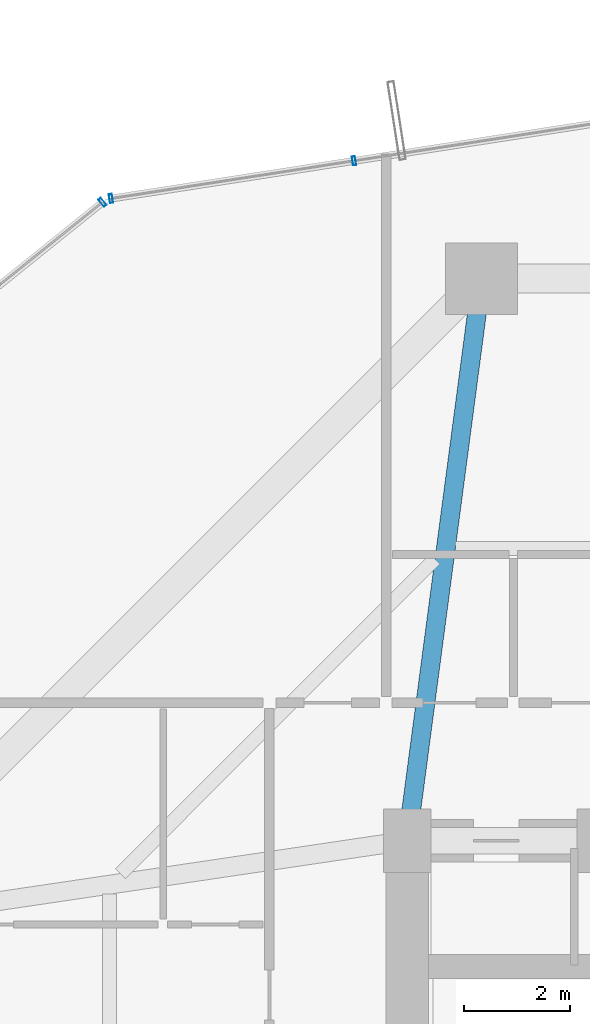
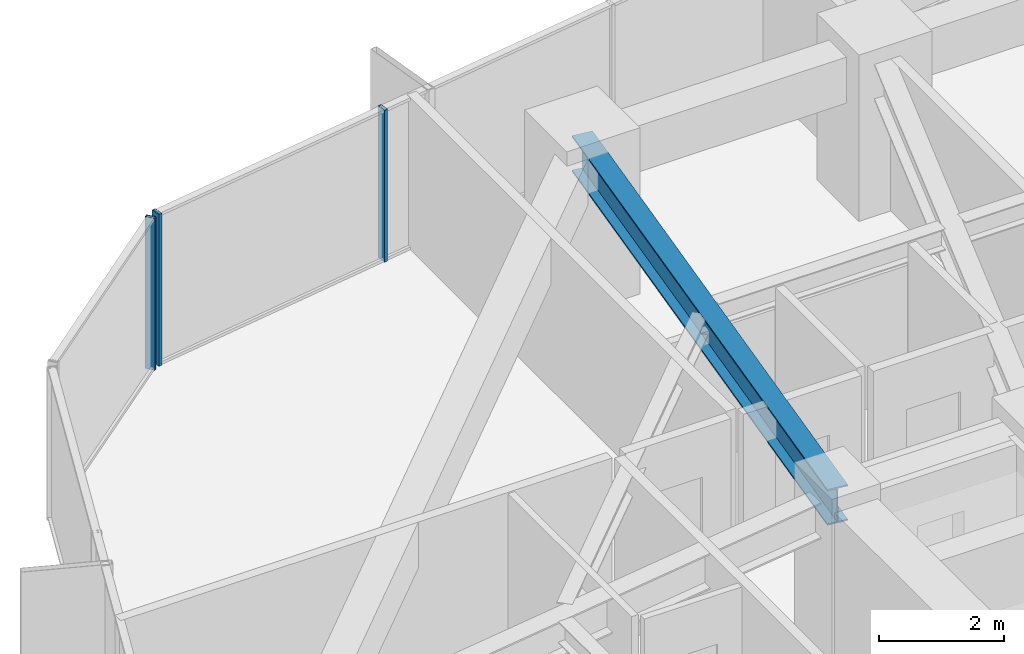
# One storey, part 23 of 37: 3 members, 1 beam, 2 elements without a shape of their own.
"""IFC4 building model written with IfcOpenShell, lengths in metres."""

from ifc_helpers import new_model, si_unit, direction, frame, origin, origin_2d, place, context, subcontext, project, spatial, hollow_rectangle, i_section, extrude, source, transform, mapped, material, layer, layer_set, material_profile, profile_set, type_object, element, aggregate, save


model = new_model("IFC4")

# Units and contexts
model_context = context("Model", 3, precision=1e-05, world=origin(), true_north=direction((0.0, 1.0)))
body_context = subcontext(model_context, "Body", "Model", "MODEL_VIEW")
ifc_project = project(units=[si_unit("LENGTHUNIT", "METRE"), si_unit("AREAUNIT", "SQUARE_METRE"), si_unit("VOLUMEUNIT", "CUBIC_METRE"), si_unit("PLANEANGLEUNIT", "RADIAN"), si_unit("MASSUNIT", "GRAM", prefix="KILO")], contexts=[model_context])

# Site, building, storey
site_placement = place(None, origin())
site = spatial("IfcSite", under=ifc_project, at=site_placement, CompositionType="ELEMENT")
building_placement = place(site_placement, origin())
building = spatial("IfcBuilding", under=site, at=building_placement, Name="Veraguas Prism Commons", CompositionType="ELEMENT")
storey_placement = place(building_placement, frame((0.0, 0.0, 53.300048828125)))
storey = spatial("IfcBuildingStorey", under=building, at=storey_placement, Name="L14", CompositionType="ELEMENT", Elevation=53.300048828125)

# Beam
ifc_material_1 = material(Name="Steel ASTM A992 Grade 50", Category="steel")
ifc_material_profile_1 = material_profile(ifc_material_1, i_section(OverallWidth=0.35595703125, OverallDepth=0.700927734375, WebThickness=0.016845703125, FlangeThickness=0.02734375, at=origin_2d()), Name="W690X240")
ifc_profile_set_1 = profile_set([ifc_material_profile_1], Name="Steel ASTM A992 Grade 50")
beam_type = type_object("IfcBeamType", Name="Zone 1 Radial Girder W690x240", PredefinedType="BEAM", material=ifc_profile_set_1)
beam_placement = place(storey_placement, frame((18.60009765625, 41.60009765625, 2.619384765625), z_axis=(-0.130950648891, -0.991388888154, 0.0), x_axis=(0.991388888154, -0.130950648891, 0.0)))
element("IfcBeam", 1, at=beam_placement, inside=storey, type_object=beam_type, Name="Radial Floor Girder L14-RD06", PredefinedType="BEAM", context=body_context, shape_type="SweptSolid", body=[
    extrude(i_section(OverallWidth=0.35595703125, OverallDepth=0.700927734375, WebThickness=0.016845703125, FlangeThickness=0.02734375, at=origin_2d()), origin(), (0.0, 0.0, 1.0), 10.692138671875),
])

# Curtain wall, members
ifc_material_2 = material(Name="Anodised aluminium EN AW-6063 T6", Category="aluminium")
ifc_layer = layer(ifc_material_2, 0.169921875, Name="Unitised Flush Curtain Wall Zone 1", Category="aluminium")
ifc_layer_set = layer_set([ifc_layer], Name="Anodised aluminium EN AW-6063 T6")
curtain_wall_type = type_object("IfcCurtainWallType", Name="Unitised Flush Curtain Wall Zone 1", PredefinedType="NOTDEFINED", material=ifc_layer_set)
curtain_wall_1_placement = place(storey_placement, origin())
curtain_wall_1 = element("IfcCurtainWall", 2, at=curtain_wall_1_placement, inside=storey, type_object=curtain_wall_type, Name="Tower Facade Curtain Wall L14-F2", PredefinedType="NOTDEFINED")
ifc_material_profile_2 = material_profile(ifc_material_2, hollow_rectangle(XDim=0.06005859375, YDim=0.169921875, WallThickness=0.00390625, at=origin_2d()), Name="AL60X170X4")
ifc_profile_set_2 = profile_set([ifc_material_profile_2], Name="Anodised aluminium EN AW-6063 T6")
member_type = type_object("IfcMemberType", Name="Curtain Wall Mullion Lower AL 60x170x4", PredefinedType="MULLION", material=ifc_profile_set_2)
shared_shape = source(origin(), body_context, "Body", "SweptSolid", [
    extrude(hollow_rectangle(XDim=0.06005859375, YDim=0.169921875, WallThickness=0.00390625, at=origin_2d()), origin(), (0.0, 0.0, 1.0), 2.969970703125),
])
member_1_placement = place(storey_placement, frame((16.197265625, 43.822509765625, 0.0), z_axis=(0.0, 0.0, 1.0), x_axis=(-0.98817491911, -0.153330783737, 0.0)))
member_1 = element("IfcMember", 3, at=member_1_placement, type_object=member_type, Name="CW-Z1 Mullion 4", PredefinedType="MULLION", context=body_context, shape_type="MappedRepresentation", body=[
    mapped(shared_shape, transform((0.0, 0.0, 0.0), scale=1.0)),
])
member_2_placement = place(storey_placement, frame((11.611328125, 43.111083984375, 0.0), z_axis=(0.0, 0.0, 1.0), x_axis=(-0.98817491911, -0.153330783737, 0.0)))
member_2 = element("IfcMember", 4, at=member_2_placement, type_object=member_type, Name="CW-Z1 Mullion 5", PredefinedType="MULLION", context=body_context, shape_type="MappedRepresentation", body=[
    mapped(shared_shape, transform((0.0, 0.0, 0.0), scale=1.0)),
])
aggregate(curtain_wall_1, [member_1, member_2])

# Curtain wall, member
curtain_wall_2_placement = place(storey_placement, origin())
curtain_wall_2 = element("IfcCurtainWall", 5, at=curtain_wall_2_placement, inside=storey, type_object=curtain_wall_type, Name="Chamfer Curtain Wall L14-C3", PredefinedType="NOTDEFINED")
member_3_placement = place(storey_placement, frame((11.4521484375, 43.040771484375, 0.0), z_axis=(0.0, 0.0, 1.0), x_axis=(-0.779125756049, -0.626867654502, 0.0)))
member_3 = element("IfcMember", 6, at=member_3_placement, type_object=member_type, Name="CW-Z1 Mullion 1", PredefinedType="MULLION", context=body_context, shape_type="MappedRepresentation", body=[
    mapped(shared_shape, transform((0.0, 0.0, 0.0), scale=1.0)),
])
aggregate(curtain_wall_2, [member_3])

save(model, "model.ifc")
